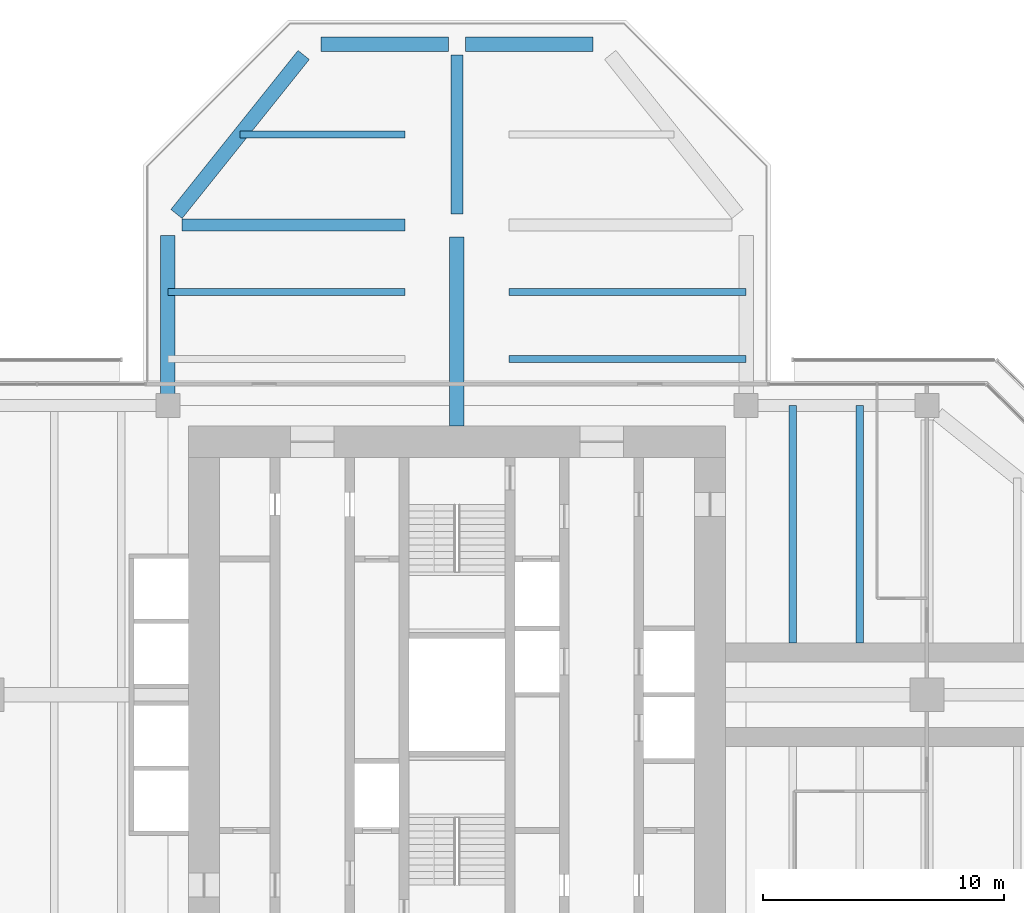
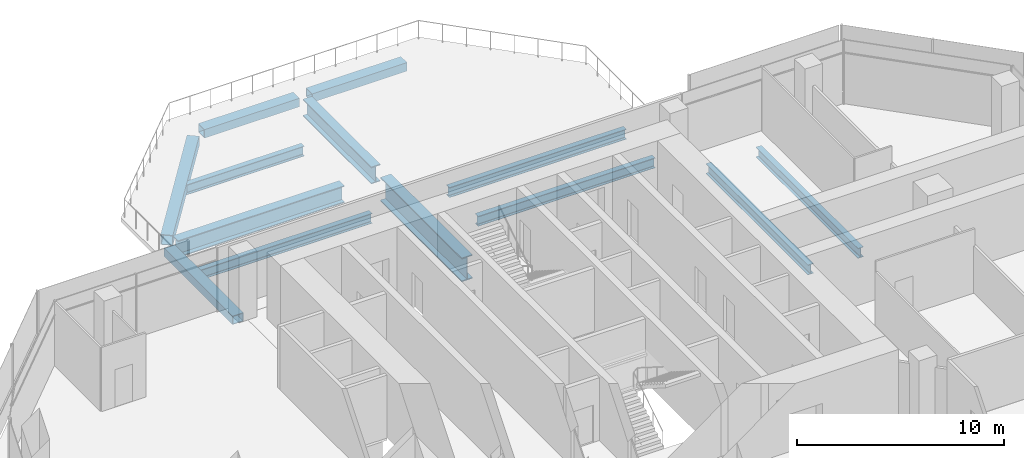
# One storey, part 7 of 15: 13 beams.
"""IFC4 building model written with IfcOpenShell, lengths in metres."""

from ifc_helpers import new_model, si_unit, direction, frame, origin, origin_2d, place, context, subcontext, project, spatial, hollow_rectangle, i_section, extrude, material, material_profile, profile_set, type_object, element, save


model = new_model("IFC4")

# Units and contexts
model_context = context("Model", 3, precision=1e-05, world=origin(), true_north=direction((0.0, 1.0)))
body_context = subcontext(model_context, "Body", "Model", "MODEL_VIEW")
ifc_project = project(units=[si_unit("LENGTHUNIT", "METRE"), si_unit("AREAUNIT", "SQUARE_METRE"), si_unit("VOLUMEUNIT", "CUBIC_METRE"), si_unit("PLANEANGLEUNIT", "RADIAN"), si_unit("MASSUNIT", "GRAM", prefix="KILO")], contexts=[model_context])

# Site, building, storey
site_placement = place(None, origin())
site = spatial("IfcSite", under=ifc_project, at=site_placement, CompositionType="ELEMENT")
building_placement = place(site_placement, origin())
building = spatial("IfcBuilding", under=site, at=building_placement, Name="Mizan Broadcast Tower", CompositionType="ELEMENT")
storey_placement = place(building_placement, frame((0.0, 0.0, 267.300048828125)))
storey = spatial("IfcBuildingStorey", under=building, at=storey_placement, Name="L63", CompositionType="ELEMENT", Elevation=267.300048828125)

# Beams
ifc_material_1 = material(Name="Steel S355", Category="steel")
ifc_material_profile_1 = material_profile(ifc_material_1, hollow_rectangle(XDim=0.60009765625, YDim=0.5, WallThickness=0.030029296875, at=origin_2d()), Name="BOX 500x600x30")
ifc_profile_set_1 = profile_set([ifc_material_profile_1], Name="Steel S355")
beam_type_1 = type_object("IfcBeamType", Name="EDGE BEAM BOX 500x600x30", PredefinedType="SPANDREL", material=ifc_profile_set_1)
beam_1_placement = place(storey_placement, frame((5.639892578125, 27.0, -0.5), z_axis=(-1.0, 0.0, 0.0), x_axis=(0.0, -1.0, 0.0)))
element("IfcBeam", 1, at=beam_1_placement, inside=storey, type_object=beam_type_1, Name="Edge beam BOX 500x600x30 L63 north arm", PredefinedType="SPANDREL", context=body_context, shape_type="SweptSolid", body=[
    extrude(hollow_rectangle(XDim=0.60009765625, YDim=0.5, WallThickness=0.030029296875, at=origin_2d()), origin(), (0.0, 0.0, 1.0), 5.27978515625),
])
beam_2_placement = place(storey_placement, frame((-12.0, 12.449951171875, -0.5), z_axis=(0.0, 1.0, 0.0), x_axis=(-1.0, 0.0, 0.0)))
element("IfcBeam", 2, at=beam_2_placement, inside=storey, type_object=beam_type_1, Name="Edge beam BOX 500x600x30 L63 north arm", PredefinedType="SPANDREL", context=body_context, shape_type="SweptSolid", body=[
    extrude(hollow_rectangle(XDim=0.60009765625, YDim=0.5, WallThickness=0.030029296875, at=origin_2d()), origin(), (0.0, 0.0, 1.0), 6.60009765625),
])
beam_3_placement = place(storey_placement, frame((-5.639892578125, 27.0, -0.5), z_axis=(1.0, 0.0, 0.0), x_axis=(0.0, 1.0, 0.0)))
element("IfcBeam", 3, at=beam_3_placement, inside=storey, type_object=beam_type_1, Name="Edge beam BOX 500x600x30 L63 north arm", PredefinedType="SPANDREL", context=body_context, shape_type="SweptSolid", body=[
    extrude(hollow_rectangle(XDim=0.60009765625, YDim=0.5, WallThickness=0.030029296875, at=origin_2d()), origin(), (0.0, 0.0, 1.0), 5.27978515625),
])
ifc_material_2 = material(Name="Steel S355", Category="steel")
ifc_material_profile_2 = material_profile(ifc_material_2, hollow_rectangle(XDim=0.60009765625, YDim=0.60009765625, WallThickness=0.030029296875, at=origin_2d()), Name="BOX 600x600x30")
ifc_profile_set_2 = profile_set([ifc_material_profile_2], Name="Steel S355")
beam_type_2 = type_object("IfcBeamType", Name="EDGE BEAM BOX 600x600x30", PredefinedType="SPANDREL", material=ifc_profile_set_2)
beam_4_placement = place(storey_placement, frame((-11.639892578125, 19.949951171875, -0.550048828125), z_axis=(0.624673911726, 0.780885717636, 0.0), x_axis=(-0.780885717636, 0.624673911726, 0.0)))
element("IfcBeam", 4, at=beam_4_placement, inside=storey, type_object=beam_type_2, Name="Edge beam BOX 600x600x30 L63 north arm", PredefinedType="SPANDREL", context=body_context, shape_type="SweptSolid", body=[
    extrude(hollow_rectangle(XDim=0.60009765625, YDim=0.60009765625, WallThickness=0.030029296875, at=origin_2d()), origin(), (0.0, 0.0, 1.0), 8.4521484375),
])
ifc_material_3 = material(Name="Steel S460", Category="steel")
ifc_material_profile_3 = material_profile(ifc_material_3, i_section(OverallWidth=0.5, OverallDepth=1.0, WebThickness=0.02490234375, FlangeThickness=0.050048828125, at=origin_2d()), Name="WPG 1000x500")
ifc_profile_set_3 = profile_set([ifc_material_profile_3], Name="Steel S460")
beam_type_3 = type_object("IfcBeamType", Name="GIRDER WPG 1000x500", PredefinedType="BEAM", material=ifc_profile_set_3)
beam_5_placement = place(storey_placement, frame((0.0, 19.949951171875, -0.75), z_axis=(0.0, 1.0, 0.0), x_axis=(-1.0, 0.0, 0.0)))
element("IfcBeam", 5, at=beam_5_placement, inside=storey, type_object=beam_type_3, Name="Girder WPG 1000x500 L63 north arm", PredefinedType="BEAM", context=body_context, shape_type="SweptSolid", body=[
    extrude(i_section(OverallWidth=0.5, OverallDepth=1.0, WebThickness=0.02490234375, FlangeThickness=0.050048828125, at=origin_2d()), origin(), (0.0, 0.0, 1.0), 6.60009765625),
])
beam_6_placement = place(storey_placement, frame((-11.408935546875, 19.5, -0.75), z_axis=(1.0, 0.0, 0.0), x_axis=(0.0, 1.0, 0.0)))
element("IfcBeam", 6, at=beam_6_placement, inside=storey, type_object=beam_type_3, Name="Girder WPG 1000x500 L63 north arm", PredefinedType="BEAM", context=body_context, shape_type="SweptSolid", body=[
    extrude(i_section(OverallWidth=0.5, OverallDepth=1.0, WebThickness=0.02490234375, FlangeThickness=0.050048828125, at=origin_2d()), origin(), (0.0, 0.0, 1.0), 9.259033203125),
])
ifc_material_4 = material(Name="Steel S460", Category="steel")
ifc_material_profile_4 = material_profile(ifc_material_4, i_section(OverallWidth=0.60009765625, OverallDepth=1.39990234375, WebThickness=0.02490234375, FlangeThickness=0.06005859375, at=origin_2d()), Name="WPG 1400x600")
ifc_profile_set_4 = profile_set([ifc_material_profile_4], Name="Steel S460")
beam_type_4 = type_object("IfcBeamType", Name="GIRDER WPG 1400x600", PredefinedType="BEAM", material=ifc_profile_set_4)
beam_7_placement = place(storey_placement, frame((0.0, 11.14990234375, -0.949951171875), z_axis=(0.0, 1.0, 0.0), x_axis=(-1.0, 0.0, 0.0)))
element("IfcBeam", 7, at=beam_7_placement, inside=storey, type_object=beam_type_4, Name="Girder WPG 1400x600 L63 north arm", PredefinedType="BEAM", context=body_context, shape_type="SweptSolid", body=[
    extrude(i_section(OverallWidth=0.60009765625, OverallDepth=1.39990234375, WebThickness=0.02490234375, FlangeThickness=0.06005859375, at=origin_2d()), origin(), (0.0, 0.0, 1.0), 7.84912109375),
])
ifc_material_5 = material(Name="Steel S355", Category="steel")
ifc_material_profile_5 = material_profile(ifc_material_5, i_section(OverallWidth=0.300048828125, OverallDepth=0.590087890625, WebThickness=0.012939453125, FlangeThickness=0.02490234375, FilletRadius=0.027099609375, at=origin_2d()), Name="HEA 600")
ifc_profile_set_5 = profile_set([ifc_material_profile_5], Name="Steel S355")
beam_type_5 = type_object("IfcBeamType", Name="SECONDARY BEAM HEA 600", PredefinedType="JOIST", material=ifc_profile_set_5)
for number, where, z_axis, x_axis, name in (
    (8, (13.933349609375, 12.0, -0.425048828125), (0.0, -1.0, 0.0), (1.0, 0.0, 0.0), "Secondary beam HEA 600 L63 east arm"),
    (9, (16.716552734375, 12.0, -0.425048828125), (0.0, -1.0, 0.0), (1.0, 0.0, 0.0), "Secondary beam HEA 600 L63 east arm"),
    (10, (12.0, 13.933349609375, -0.545166015625), (-1.0, 0.0, 0.0), (0.0, -1.0, 0.0), "Secondary beam HEA 600 L63 north arm"),
    (11, (12.0, 16.716552734375, -0.545166015625), (-1.0, 0.0, 0.0), (0.0, -1.0, 0.0), "Secondary beam HEA 600 L63 north arm"),
    (12, (-12.0, 16.716552734375, -0.545166015625), (1.0, 0.0, 0.0), (0.0, 1.0, 0.0), "Secondary beam HEA 600 L63 north arm"),
):
    element("IfcBeam", number, at=place(storey_placement, frame(where, z_axis=z_axis, x_axis=x_axis)), inside=storey, type_object=beam_type_5, Name=name, PredefinedType="JOIST", context=body_context, shape_type="SweptSolid", body=[
        extrude(i_section(OverallWidth=0.300048828125, OverallDepth=0.590087890625, WebThickness=0.012939453125, FlangeThickness=0.02490234375, FilletRadius=0.027099609375, at=origin_2d()), origin(), (0.0, 0.0, 1.0), 9.85009765625),
    ])
beam_8_placement = place(storey_placement, frame((-9.0, 23.25, -0.545166015625), z_axis=(1.0, 0.0, 0.0), x_axis=(0.0, 1.0, 0.0)))
element("IfcBeam", 13, at=beam_8_placement, inside=storey, type_object=beam_type_5, Name="Secondary beam HEA 600 L63 north arm", PredefinedType="JOIST", context=body_context, shape_type="SweptSolid", body=[
    extrude(i_section(OverallWidth=0.300048828125, OverallDepth=0.590087890625, WebThickness=0.012939453125, FlangeThickness=0.02490234375, FilletRadius=0.027099609375, at=origin_2d()), origin(), (0.0, 0.0, 1.0), 6.85009765625),
])

save(model, "model.ifc")
